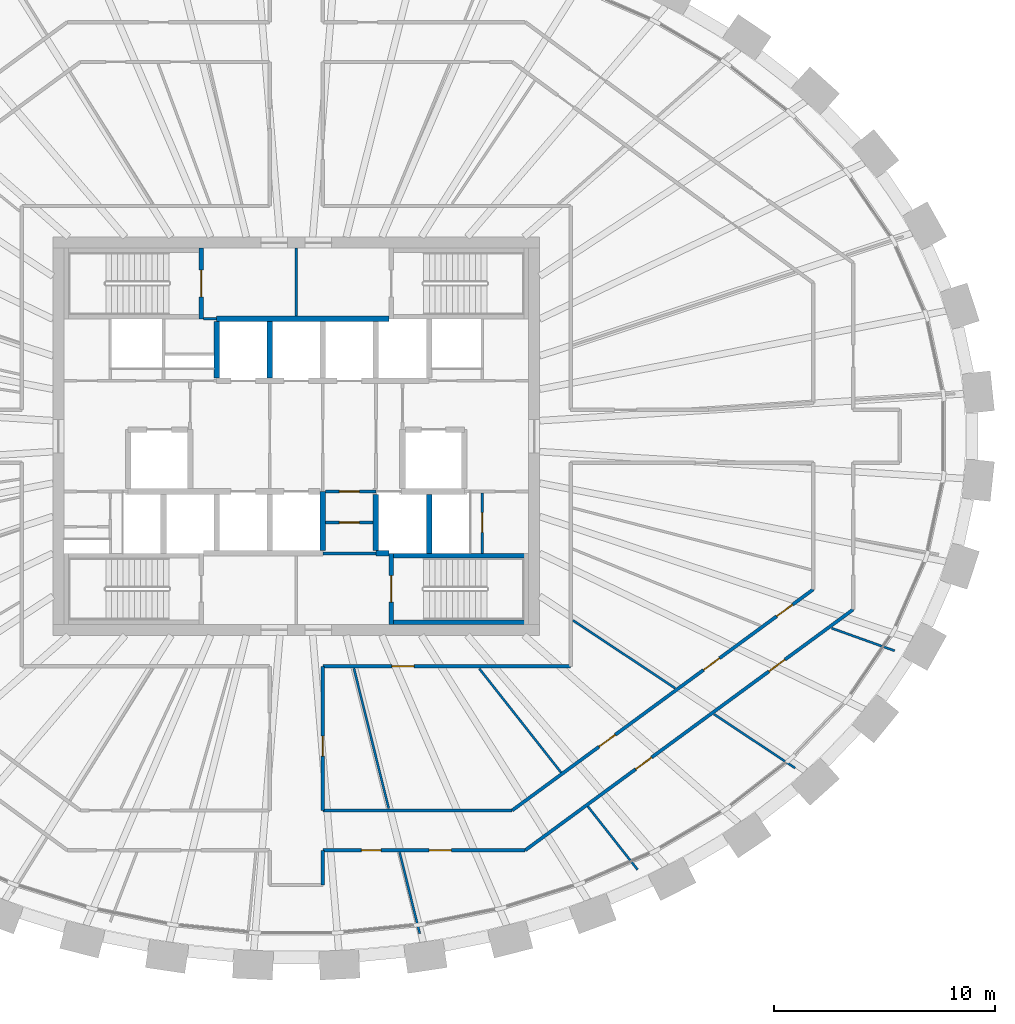
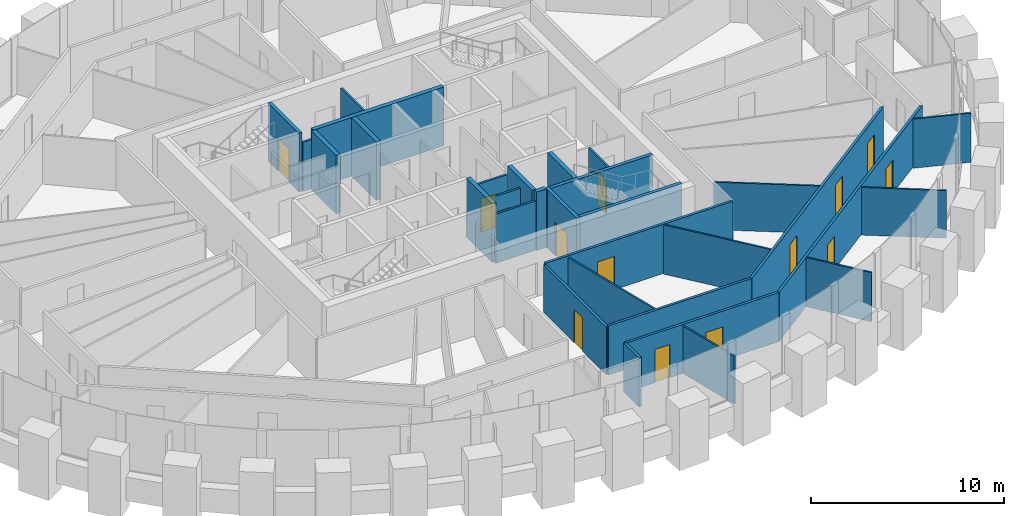
# One storey, part 8 of 12: 31 walls, 14 doors, 14 openings.
"""IFC4 building model written with IfcOpenShell, lengths in metres."""

from ifc_helpers import new_model, si_unit, direction, frame, frame_2d, origin, place, context, subcontext, project, spatial, rectangle, extrude, source, transform, mapped, material, layer, layer_set, type_object, element, fill, save


model = new_model("IFC4")

# Units and contexts
model_context = context("Model", 3, precision=1e-05, world=origin(), true_north=direction((0.0, 1.0)))
body_context = subcontext(model_context, "Body", "Model", "MODEL_VIEW")
ifc_project = project(units=[si_unit("LENGTHUNIT", "METRE"), si_unit("AREAUNIT", "SQUARE_METRE"), si_unit("VOLUMEUNIT", "CUBIC_METRE"), si_unit("PLANEANGLEUNIT", "RADIAN"), si_unit("MASSUNIT", "GRAM", prefix="KILO")], contexts=[model_context])

# Site, building, storey
site_placement = place(None, origin())
site = spatial("IfcSite", under=ifc_project, at=site_placement, CompositionType="ELEMENT")
building_placement = place(site_placement, origin())
building = spatial("IfcBuilding", under=site, at=building_placement, Name="Embergate Tower", CompositionType="ELEMENT")
storey_placement = place(building_placement, frame((0.0, 0.0, 301.300048828125)))
storey = spatial("IfcBuildingStorey", under=building, at=storey_placement, Name="L70", CompositionType="ELEMENT", Elevation=301.300048828125)

# Walls
ifc_material_1 = material(Name="Concrete C50", Category="concrete")
ifc_layer_1 = layer(ifc_material_1, 0.25)
ifc_layer_set_1 = layer_set([ifc_layer_1], Name="Concrete C50")
wall_type_1 = type_object("IfcWallType", Name="Hoistway wall reinforced concrete 250", PredefinedType="SHEAR", material=ifc_layer_set_1)
shared_shape_1 = source(origin(), body_context, "Body", "SweptSolid", [
    extrude(rectangle(XDim=2.675048828125, YDim=0.25, at=frame_2d((1.33740234375, 0.0))), origin(), (0.0, 0.0, 1.0), 3.699951171875),
])
for number, where, z_axis, x_axis, name in (
    (1, (1.199951171875, -5.175048828125, 0.0), (0.0, 0.0, 1.0), (0.0, 1.0, 0.0), "HW-1 wall"),
    (2, (6.0, -5.300048828125, 0.0), (0.0, 0.0, 1.0), (0.0, 1.0, 0.0), "HW-1 wall"),
):
    element("IfcWall", number, at=place(storey_placement, frame(where, z_axis=z_axis, x_axis=x_axis)), inside=storey, type_object=wall_type_1, Name=name, PredefinedType="SHEAR", context=body_context, shape_type="MappedRepresentation", body=[
        mapped(shared_shape_1, transform((0.0, 0.0, 0.0))),
    ])
ifc_layer_2 = layer(ifc_material_1, 0.199951171875)
ifc_layer_set_2 = layer_set([ifc_layer_2], Name="Concrete C50")
wall_type_2 = type_object("IfcWallType", Name="Stair enclosure wall reinforced concrete 250", PredefinedType="SHEAR", material=ifc_layer_set_2)
shared_shape_2 = source(origin(), body_context, "Body", "SweptSolid", [
    extrude(rectangle(XDim=6.300048828125, YDim=0.199951171875, at=frame_2d((3.14990234375, 0.0))), origin(), (0.0, 0.0, 1.0), 3.699951171875),
])
wall_1_placement = place(storey_placement, frame((4.199951171875, -5.39990234375, 0.0), z_axis=(0.0, 0.0, 1.0), x_axis=(1.0, 0.0, 0.0)))
element("IfcWall", 3, at=wall_1_placement, inside=storey, type_object=wall_type_2, Name="SE-1 wall", PredefinedType="SHEAR", context=body_context, shape_type="MappedRepresentation", body=[
    mapped(shared_shape_2, transform((0.0, 0.0, 0.0))),
])
shared_shape_3 = source(origin(), body_context, "Body", "SweptSolid", [
    extrude(rectangle(XDim=2.550048828125, YDim=0.25, at=frame_2d((1.27490234375, 0.0))), origin(), (0.0, 0.0, 1.0), 3.699951171875),
])
for number, where, z_axis, x_axis, name in (
    (4, (-1.199951171875, 2.625, 0.0), (0.0, 0.0, 1.0), (0.0, 1.0, 0.0), "HW-1 wall"),
    (5, (3.60009765625, -2.625, 0.0), (0.0, 0.0, 1.0), (0.0, -1.0, 0.0), "HW-1 wall"),
):
    element("IfcWall", number, at=place(storey_placement, frame(where, z_axis=z_axis, x_axis=x_axis)), inside=storey, type_object=wall_type_1, Name=name, PredefinedType="SHEAR", context=body_context, shape_type="MappedRepresentation", body=[
        mapped(shared_shape_3, transform((0.0, 0.0, 0.0))),
    ])

# Wall, opening, door
shared_shape_4 = source(origin(), body_context, "Body", "SweptSolid", [
    extrude(rectangle(XDim=3.199951171875, YDim=0.199951171875, at=frame_2d((1.60009765625, 0.0))), origin(), (0.0, 0.0, 1.0), 3.699951171875),
])
wall_2_placement = place(storey_placement, frame((-4.300048828125, 5.300048828125, 0.0), z_axis=(0.0, 0.0, 1.0), x_axis=(0.0, 1.0, 0.0)))
wall_2 = element("IfcWall", 6, at=wall_2_placement, inside=storey, type_object=wall_type_2, Name="SE-1 wall", PredefinedType="SHEAR", context=body_context, shape_type="MappedRepresentation", body=[
    mapped(shared_shape_4, transform((0.0, 0.0, 0.0))),
])
shared_shape_5 = source(origin(), body_context, "Body", "SweptSolid", [
    extrude(rectangle(XDim=1.199951171875, YDim=2.10009765625, at=frame_2d((0.60009765625, 1.050048828125))), frame((0.0, 0.10986328125, 0.0), z_axis=(0.0, -1.0, 0.0), x_axis=(1.0, 0.0, 0.0)), (0.0, 0.0, 1.0), 0.219970703125),
])
opening_1_placement = place(wall_2_placement, frame((1.0, 0.0, 0.0)))
opening_1 = element("IfcOpeningElement", 7, at=opening_1_placement, cuts=wall_2, Name="Opening IF-2", PredefinedType="OPENING", context=body_context, shape_type="MappedRepresentation", body=[
    mapped(shared_shape_5, transform((0.0, 0.0, 0.0))),
])
ifc_material_2 = material(Name="Stair enclosure door 1200")
door_type_1 = type_object("IfcDoorType", Name="Stair enclosure door 1200", OperationType="SINGLE_SWING_LEFT", PredefinedType="DOOR", material=ifc_material_2)
shared_shape_6 = source(origin(), body_context, "Body", "SweptSolid", [
    extrude(rectangle(XDim=1.199951171875, YDim=2.10009765625, at=frame_2d((0.60009765625, 1.050048828125))), frame((0.0, 0.02490234375, 0.0), z_axis=(0.0, -1.0, 0.0), x_axis=(1.0, 0.0, 0.0)), (0.0, 0.0, 1.0), 0.050048828125),
])
door_1_placement = place(opening_1_placement, origin())
door_1 = element("IfcDoor", 8, at=door_1_placement, inside=storey, type_object=door_type_1, Name="IF-2 door", OperationType="SINGLE_SWING_LEFT", OverallHeight=2.10009765625, OverallWidth=1.199951171875, PredefinedType="DOOR", context=body_context, shape_type="MappedRepresentation", body=[
    mapped(shared_shape_6, transform((0.0, 0.0, 0.0))),
])
fill(opening_1, door_1)

wall_3_placement = place(storey_placement, frame((4.300048828125, -5.300048828125, 0.0), z_axis=(0.0, 0.0, 1.0), x_axis=(0.0, -1.0, 0.0)))
wall_3 = element("IfcWall", 9, at=wall_3_placement, inside=storey, type_object=wall_type_2, Name="SE-1 wall", PredefinedType="SHEAR", context=body_context, shape_type="MappedRepresentation", body=[
    mapped(shared_shape_4, transform((0.0, 0.0, 0.0))),
])
opening_2_placement = place(wall_3_placement, frame((1.0, 0.0, 0.0)))
opening_2 = element("IfcOpeningElement", 10, at=opening_2_placement, cuts=wall_3, Name="Opening IF-2", PredefinedType="OPENING", context=body_context, shape_type="MappedRepresentation", body=[
    mapped(shared_shape_5, transform((0.0, 0.0, 0.0))),
])
door_2_placement = place(opening_2_placement, origin())
door_2 = element("IfcDoor", 11, at=door_2_placement, inside=storey, type_object=door_type_1, Name="IF-2 door", OperationType="SINGLE_SWING_LEFT", OverallHeight=2.10009765625, OverallWidth=1.199951171875, PredefinedType="DOOR", context=body_context, shape_type="MappedRepresentation", body=[
    mapped(shared_shape_6, transform((0.0, 0.0, 0.0))),
])
fill(opening_2, door_2)

ifc_material_3 = material(Name="Core partition blockwork 120")
ifc_layer_3 = layer(ifc_material_3, 0.1201171875)
ifc_layer_set_3 = layer_set([ifc_layer_3], Name="Core partition blockwork 120")
wall_type_3 = type_object("IfcWallType", Name="Core partition blockwork 120", PredefinedType="PARTITIONING", material=ifc_layer_set_3)
shared_shape_7 = source(origin(), body_context, "Body", "SweptSolid", [
    extrude(rectangle(XDim=2.739990234375, YDim=0.1201171875, at=frame_2d((1.3701171875, 0.0))), origin(), (0.0, 0.0, 1.0), 3.099853515625),
])
wall_4_placement = place(storey_placement, frame((8.39990234375, -5.300048828125, 0.0), z_axis=(0.0, 0.0, 1.0), x_axis=(0.0, 1.0, 0.0)))
wall_4 = element("IfcWall", 12, at=wall_4_placement, inside=storey, type_object=wall_type_3, Name="IP-3 wall", PredefinedType="PARTITIONING", context=body_context, shape_type="MappedRepresentation", body=[
    mapped(shared_shape_7, transform((0.0, 0.0, 0.0))),
])
shared_shape_8 = source(origin(), body_context, "Body", "SweptSolid", [
    extrude(rectangle(XDim=0.89990234375, YDim=2.10009765625, at=frame_2d((0.449951171875, 1.050048828125))), frame((0.0, 0.070068359375, 0.0), z_axis=(0.0, -1.0, 0.0), x_axis=(1.0, 0.0, 0.0)), (0.0, 0.0, 1.0), 0.14013671875),
])
opening_3_placement = place(wall_4_placement, frame((0.949951171875, 0.0, 0.0)))
opening_3 = element("IfcOpeningElement", 13, at=opening_3_placement, cuts=wall_4, Name="Opening ID-1", PredefinedType="OPENING", context=body_context, shape_type="MappedRepresentation", body=[
    mapped(shared_shape_8, transform((0.0, 0.0, 0.0))),
])
ifc_material_4 = material(Name="Interior door 900")
door_type_2 = type_object("IfcDoorType", Name="Interior door 900", OperationType="SINGLE_SWING_LEFT", PredefinedType="DOOR", material=ifc_material_4)
shared_shape_9 = source(origin(), body_context, "Body", "SweptSolid", [
    extrude(rectangle(XDim=0.89990234375, YDim=2.10009765625, at=frame_2d((0.449951171875, 1.050048828125))), frame((0.0, 0.02490234375, 0.0), z_axis=(0.0, -1.0, 0.0), x_axis=(1.0, 0.0, 0.0)), (0.0, 0.0, 1.0), 0.050048828125),
])
door_3_placement = place(opening_3_placement, origin())
door_3 = element("IfcDoor", 14, at=door_3_placement, inside=storey, type_object=door_type_2, Name="ID-1 door", OperationType="SINGLE_SWING_LEFT", OverallHeight=2.10009765625, OverallWidth=0.89990234375, PredefinedType="DOOR", context=body_context, shape_type="MappedRepresentation", body=[
    mapped(shared_shape_9, transform((0.0, 0.0, 0.0))),
])
fill(opening_3, door_3)

# Wall
shared_shape_10 = source(origin(), body_context, "Body", "SweptSolid", [
    extrude(rectangle(XDim=0.599853515625, YDim=0.25, at=frame_2d((0.2998046875, 0.0))), origin(), (0.0, 0.0, 1.0), 3.699951171875),
])
wall_5_placement = place(storey_placement, frame((3.60009765625, -5.300048828125, 0.0), z_axis=(0.0, 0.0, 1.0), x_axis=(1.0, 0.0, 0.0)))
element("IfcWall", 15, at=wall_5_placement, inside=storey, type_object=wall_type_1, Name="HW-1 wall", PredefinedType="SHEAR", context=body_context, shape_type="MappedRepresentation", body=[
    mapped(shared_shape_10, transform((0.0, 0.0, 0.0))),
])

# Wall, opening, door
ifc_material_5 = material(Name="Corridor wall dry-lined 150")
ifc_layer_4 = layer(ifc_material_5, 0.14990234375)
ifc_layer_set_4 = layer_set([ifc_layer_4], Name="Corridor wall dry-lined 150")
wall_type_4 = type_object("IfcWallType", Name="Corridor wall dry-lined 150", PredefinedType="PARTITIONING", material=ifc_layer_set_4)
shared_shape_11 = source(origin(), body_context, "Body", "SweptSolid", [
    extrude(rectangle(XDim=11.199951171875, YDim=0.14990234375, at=frame_2d((5.60009765625, 0.0))), origin(), (0.0, 0.0, 1.0), 3.099853515625),
])
wall_6_placement = place(storey_placement, frame((12.39990234375, -10.39990234375, 0.0), z_axis=(0.0, 0.0, 1.0), x_axis=(-1.0, 0.0, 0.0)))
wall_6 = element("IfcWall", 16, at=wall_6_placement, inside=storey, type_object=wall_type_4, Name="IP-2 wall", PredefinedType="PARTITIONING", context=body_context, shape_type="MappedRepresentation", body=[
    mapped(shared_shape_11, transform((0.0, 0.0, 0.0))),
])
shared_shape_12 = source(origin(), body_context, "Body", "SweptSolid", [
    extrude(rectangle(XDim=1.0, YDim=2.10009765625, at=frame_2d((0.5, 1.050048828125))), frame((0.0, 0.0849609375, 0.0), z_axis=(0.0, -1.0, 0.0), x_axis=(1.0, 0.0, 0.0)), (0.0, 0.0, 1.0), 0.169921875),
])
opening_4_placement = place(wall_6_placement, frame((7.075927734375, 0.0, 0.0)))
opening_4 = element("IfcOpeningElement", 17, at=opening_4_placement, cuts=wall_6, Name="Opening ID-2", PredefinedType="OPENING", context=body_context, shape_type="MappedRepresentation", body=[
    mapped(shared_shape_12, transform((0.0, 0.0, 0.0))),
])
ifc_material_6 = material(Name="Interior door 1000")
door_type_3 = type_object("IfcDoorType", Name="Interior door 1000", OperationType="SINGLE_SWING_LEFT", PredefinedType="DOOR", material=ifc_material_6)
shared_shape_13 = source(origin(), body_context, "Body", "SweptSolid", [
    extrude(rectangle(XDim=1.0, YDim=2.10009765625, at=frame_2d((0.5, 1.050048828125))), frame((0.0, 0.02490234375, 0.0), z_axis=(0.0, -1.0, 0.0), x_axis=(1.0, 0.0, 0.0)), (0.0, 0.0, 1.0), 0.050048828125),
])
door_4_placement = place(opening_4_placement, origin())
door_4 = element("IfcDoor", 18, at=door_4_placement, inside=storey, type_object=door_type_3, Name="ID-2 door", OperationType="SINGLE_SWING_RIGHT", OverallHeight=2.10009765625, OverallWidth=1.0, PredefinedType="DOOR", context=body_context, shape_type="MappedRepresentation", body=[
    mapped(shared_shape_13, transform((0.0, 0.0, 0.0))),
])
fill(opening_4, door_4)

# Walls
shared_shape_14 = source(origin(), body_context, "Body", "SweptSolid", [
    extrude(rectangle(XDim=7.800048828125, YDim=0.25, at=frame_2d((3.89990234375, 0.0))), origin(), (0.0, 0.0, 1.0), 3.699951171875),
])
wall_7_placement = place(storey_placement, frame((4.199951171875, 5.300048828125, 0.0), z_axis=(0.0, 0.0, 1.0), x_axis=(-1.0, 0.0, 0.0)))
element("IfcWall", 19, at=wall_7_placement, inside=storey, type_object=wall_type_1, Name="HW-1 wall", PredefinedType="SHEAR", context=body_context, shape_type="MappedRepresentation", body=[
    mapped(shared_shape_14, transform((0.0, 0.0, 0.0))),
])
shared_shape_15 = source(origin(), body_context, "Body", "SweptSolid", [
    extrude(rectangle(XDim=2.400146484375, YDim=0.1201171875, at=frame_2d((1.2001953125, 0.0))), origin(), (0.0, 0.0, 1.0), 3.099853515625),
])
wall_8_placement = place(storey_placement, frame((3.60009765625, -5.300048828125, 0.0), z_axis=(0.0, 0.0, 1.0), x_axis=(-1.0, 0.0, 0.0)))
element("IfcWall", 20, at=wall_8_placement, inside=storey, type_object=wall_type_3, Name="IP-3 wall", PredefinedType="PARTITIONING", context=body_context, shape_type="MappedRepresentation", body=[
    mapped(shared_shape_15, transform((0.0, 0.0, 0.0))),
])
shared_shape_16 = source(origin(), body_context, "Body", "SweptSolid", [
    extrude(rectangle(XDim=3.074951171875, YDim=0.1201171875, at=frame_2d((1.53759765625, 0.0))), origin(), (0.0, 0.0, 1.0), 3.099853515625),
])
wall_9_placement = place(storey_placement, frame((0.0, 5.425048828125, 0.0), z_axis=(0.0, 0.0, 1.0), x_axis=(0.0, 1.0, 0.0)))
element("IfcWall", 21, at=wall_9_placement, inside=storey, type_object=wall_type_3, Name="IP-3 wall", PredefinedType="PARTITIONING", context=body_context, shape_type="MappedRepresentation", body=[
    mapped(shared_shape_16, transform((0.0, 0.0, 0.0))),
])

# Wall, opening, door
shared_shape_17 = source(origin(), body_context, "Body", "SweptSolid", [
    extrude(rectangle(XDim=2.150146484375, YDim=0.1201171875, at=frame_2d((1.0751953125, 0.0))), origin(), (0.0, 0.0, 1.0), 3.099853515625),
])
wall_10_placement = place(storey_placement, frame((3.47509765625, -3.89990234375, 0.0), z_axis=(0.0, 0.0, 1.0), x_axis=(-1.0, 0.0, 0.0)))
wall_10 = element("IfcWall", 22, at=wall_10_placement, inside=storey, type_object=wall_type_3, Name="IP-3 wall", PredefinedType="PARTITIONING", context=body_context, shape_type="MappedRepresentation", body=[
    mapped(shared_shape_17, transform((0.0, 0.0, 0.0))),
])
opening_5_placement = place(wall_10_placement, frame((0.625, 0.0, 0.0)))
opening_5 = element("IfcOpeningElement", 23, at=opening_5_placement, cuts=wall_10, Name="Opening ID-1", PredefinedType="OPENING", context=body_context, shape_type="MappedRepresentation", body=[
    mapped(shared_shape_8, transform((0.0, 0.0, 0.0))),
])
door_5_placement = place(opening_5_placement, origin())
door_5 = element("IfcDoor", 24, at=door_5_placement, inside=storey, type_object=door_type_2, Name="ID-1 door", OperationType="SINGLE_SWING_LEFT", OverallHeight=2.10009765625, OverallWidth=0.89990234375, PredefinedType="DOOR", context=body_context, shape_type="MappedRepresentation", body=[
    mapped(shared_shape_9, transform((0.0, 0.0, 0.0))),
])
fill(opening_5, door_5)

# Walls
shared_shape_18 = source(origin(), body_context, "Body", "SweptSolid", [
    extrude(rectangle(XDim=6.298095703125, YDim=0.199951171875, at=frame_2d((3.14892578125, 0.0))), origin(), (0.0, 0.0, 1.0), 3.699951171875),
])
wall_11_placement = place(storey_placement, frame((4.201904296875, -8.39990234375, 0.0), z_axis=(0.0, 0.0, 1.0), x_axis=(1.0, 0.0, 0.0)))
element("IfcWall", 25, at=wall_11_placement, inside=storey, type_object=wall_type_2, Name="SE-1 wall", PredefinedType="SHEAR", context=body_context, shape_type="MappedRepresentation", body=[
    mapped(shared_shape_18, transform((0.0, 0.0, 0.0))),
])
shared_shape_19 = source(origin(), body_context, "Body", "SweptSolid", [
    extrude(rectangle(XDim=2.548095703125, YDim=0.25, at=frame_2d((1.27392578125, 0.0))), origin(), (0.0, 0.0, 1.0), 3.699951171875),
])
wall_12_placement = place(storey_placement, frame((-3.60009765625, 5.173095703125, 0.0), z_axis=(0.0, 0.0, 1.0), x_axis=(0.0, -1.0, 0.0)))
element("IfcWall", 26, at=wall_12_placement, inside=storey, type_object=wall_type_1, Name="HW-1 wall", PredefinedType="SHEAR", context=body_context, shape_type="MappedRepresentation", body=[
    mapped(shared_shape_19, transform((0.0, 0.0, 0.0))),
])
shared_shape_20 = source(origin(), body_context, "Body", "SweptSolid", [
    extrude(rectangle(XDim=0.595947265625, YDim=0.1201171875, at=frame_2d((0.2978515625, 0.0))), origin(), (0.0, 0.0, 1.0), 3.099853515625),
])
wall_13_placement = place(storey_placement, frame((-4.197998046875, 5.300048828125, 0.0), z_axis=(0.0, 0.0, 1.0), x_axis=(1.0, 0.0, 0.0)))
element("IfcWall", 27, at=wall_13_placement, inside=storey, type_object=wall_type_3, Name="IP-3 wall", PredefinedType="PARTITIONING", context=body_context, shape_type="MappedRepresentation", body=[
    mapped(shared_shape_20, transform((0.0, 0.0, 0.0))),
])

# Wall, opening, door
shared_shape_21 = source(origin(), body_context, "Body", "SweptSolid", [
    extrude(rectangle(XDim=6.51318359375, YDim=0.14990234375, at=frame_2d((3.256591796875, 0.0))), origin(), (0.0, 0.0, 1.0), 3.0),
])
wall_14_placement = place(storey_placement, frame((1.199951171875, -10.39990234375, 0.0), z_axis=(0.0, 0.0, 1.0), x_axis=(0.0, -1.0, 0.0)))
wall_14 = element("IfcWall", 28, at=wall_14_placement, inside=storey, type_object=wall_type_4, Name="IP-2 wall", PredefinedType="PARTITIONING", context=body_context, shape_type="MappedRepresentation", body=[
    mapped(shared_shape_21, transform((0.0, 0.0, 0.0))),
])
shared_shape_22 = source(origin(), body_context, "Body", "SweptSolid", [
    extrude(rectangle(XDim=0.89990234375, YDim=2.10009765625, at=frame_2d((0.449951171875, 1.050048828125))), frame((0.0, 0.0849609375, 0.0), z_axis=(0.0, -1.0, 0.0), x_axis=(1.0, 0.0, 0.0)), (0.0, 0.0, 1.0), 0.169921875),
])
opening_6_placement = place(wall_14_placement, frame((3.157958984375, 0.0, 0.0)))
opening_6 = element("IfcOpeningElement", 29, at=opening_6_placement, cuts=wall_14, Name="Opening IF-1c", PredefinedType="OPENING", context=body_context, shape_type="MappedRepresentation", body=[
    mapped(shared_shape_22, transform((0.0, 0.0, 0.0))),
])
ifc_material_7 = material(Name="Escape fire door 900")
door_type_4 = type_object("IfcDoorType", Name="Escape fire door 900", OperationType="SINGLE_SWING_LEFT", PredefinedType="DOOR", material=ifc_material_7)
door_6_placement = place(opening_6_placement, origin())
door_6 = element("IfcDoor", 30, at=door_6_placement, inside=storey, type_object=door_type_4, Name="IF-1 door", OperationType="SINGLE_SWING_LEFT", OverallHeight=2.10009765625, OverallWidth=0.89990234375, PredefinedType="DOOR", context=body_context, shape_type="MappedRepresentation", body=[
    mapped(shared_shape_9, transform((0.0, 0.0, 0.0))),
])
fill(opening_6, door_6)

# Walls
ifc_material_8 = material(Name="Partition dry-lined 100")
ifc_layer_5 = layer(ifc_material_8, 0.10009765625)
ifc_layer_set_5 = layer_set([ifc_layer_5], Name="Partition dry-lined 100")
wall_type_5 = type_object("IfcWallType", Name="Partition dry-lined 100", PredefinedType="PARTITIONING", material=ifc_layer_set_5)
shared_shape_23 = source(origin(), body_context, "Body", "SweptSolid", [
    extrude(rectangle(XDim=3.78759765625, YDim=0.10009765625, at=frame_2d((1.893798828125, 0.0))), origin(), (0.0, 0.0, 1.0), 3.0),
])
wall_15_placement = place(storey_placement, frame((4.6669921875, -18.800048828125, 0.0), z_axis=(0.0, 0.0, 1.0), x_axis=(0.240821377337, -0.970569453577, 0.0)))
element("IfcWall", 31, at=wall_15_placement, inside=storey, type_object=wall_type_5, Name="IP-1 wall", PredefinedType="PARTITIONING", context=body_context, shape_type="MappedRepresentation", body=[
    mapped(shared_shape_23, transform((0.0, 0.0, 0.0))),
])
shared_shape_24 = source(origin(), body_context, "Body", "SweptSolid", [
    extrude(rectangle(XDim=6.53125, YDim=0.10009765625, at=frame_2d((3.265625, 0.0))), origin(), (0.0, 0.0, 1.0), 3.0),
])
wall_16_placement = place(storey_placement, frame((2.60302734375, -10.487060546875, 0.0), z_axis=(0.0, 0.0, 1.0), x_axis=(0.240987354202, -0.970528255701, 0.0)))
element("IfcWall", 32, at=wall_16_placement, inside=storey, type_object=wall_type_5, Name="IP-1 wall", PredefinedType="PARTITIONING", context=body_context, shape_type="MappedRepresentation", body=[
    mapped(shared_shape_24, transform((0.0, 0.0, 0.0))),
])
shared_shape_25 = source(origin(), body_context, "Body", "SweptSolid", [
    extrude(rectangle(XDim=4.396728515625, YDim=0.10009765625, at=frame_2d((2.1982421875, 0.0))), origin(), (0.0, 0.0, 1.0), 3.0),
])
wall_17_placement = place(storey_placement, frame((18.8798828125, -12.56298828125, 0.0), z_axis=(0.0, 0.0, 1.0), x_axis=(0.832477186839, -0.554059322991, 0.0)))
element("IfcWall", 33, at=wall_17_placement, inside=storey, type_object=wall_type_5, Name="IP-1 wall", PredefinedType="PARTITIONING", context=body_context, shape_type="MappedRepresentation", body=[
    mapped(shared_shape_25, transform((0.0, 0.0, 0.0))),
])
shared_shape_26 = source(origin(), body_context, "Body", "SweptSolid", [
    extrude(rectangle(XDim=5.547119140625, YDim=0.10009765625, at=frame_2d((2.7734375, 0.0))), origin(), (0.0, 0.0, 1.0), 3.0),
])
wall_18_placement = place(storey_placement, frame((12.5029296875, -8.320068359375, 0.0), z_axis=(0.0, 0.0, 1.0), x_axis=(0.832530728158, -0.553978868435, 0.0)))
element("IfcWall", 34, at=wall_18_placement, inside=storey, type_object=wall_type_5, Name="IP-1 wall", PredefinedType="PARTITIONING", context=body_context, shape_type="MappedRepresentation", body=[
    mapped(shared_shape_26, transform((0.0, 0.0, 0.0))),
])

# Wall, openings, doors
shared_shape_27 = source(origin(), body_context, "Body", "SweptSolid", [
    extrude(rectangle(XDim=18.38427734375, YDim=0.14990234375, at=frame_2d((9.192138671875, 0.0))), origin(), (0.0, 0.0, 1.0), 3.099853515625),
])
wall_19_placement = place(storey_placement, frame((10.345947265625, -18.712890625, 0.0), z_axis=(0.0, 0.0, 1.0), x_axis=(0.80612330372, 0.591747597545, 0.0)))
wall_19 = element("IfcWall", 35, at=wall_19_placement, inside=storey, type_object=wall_type_4, Name="IP-2 wall", PredefinedType="PARTITIONING", context=body_context, shape_type="MappedRepresentation", body=[
    mapped(shared_shape_27, transform((0.0, 0.0, 0.0))),
])
opening_7_placement = place(wall_19_placement, frame((6.1845703125, 0.0, 0.0)))
opening_7 = element("IfcOpeningElement", 36, at=opening_7_placement, cuts=wall_19, Name="Opening IF-1c", PredefinedType="OPENING", context=body_context, shape_type="MappedRepresentation", body=[
    mapped(shared_shape_22, transform((0.0, 0.0, 0.0))),
])
opening_8_placement = place(wall_19_placement, frame((13.662353515625, 0.0, 0.0)))
opening_8 = element("IfcOpeningElement", 37, at=opening_8_placement, cuts=wall_19, Name="Opening IF-1c", PredefinedType="OPENING", context=body_context, shape_type="MappedRepresentation", body=[
    mapped(shared_shape_22, transform((0.0, 0.0, 0.0))),
])
door_7_placement = place(opening_7_placement, origin())
door_7 = element("IfcDoor", 38, at=door_7_placement, inside=storey, type_object=door_type_4, Name="IF-1 door", OperationType="SINGLE_SWING_LEFT", OverallHeight=2.10009765625, OverallWidth=0.89990234375, PredefinedType="DOOR", context=body_context, shape_type="MappedRepresentation", body=[
    mapped(shared_shape_9, transform((0.0, 0.0, 0.0))),
])
fill(opening_7, door_7)
door_8_placement = place(opening_8_placement, origin())
door_8 = element("IfcDoor", 39, at=door_8_placement, inside=storey, type_object=door_type_4, Name="IF-1 door", OperationType="SINGLE_SWING_RIGHT", OverallHeight=2.10009765625, OverallWidth=0.89990234375, PredefinedType="DOOR", context=body_context, shape_type="MappedRepresentation", body=[
    mapped(shared_shape_9, transform((0.0, 0.0, 0.0))),
])
fill(opening_8, door_8)

shared_shape_28 = source(origin(), body_context, "Body", "SweptSolid", [
    extrude(rectangle(XDim=16.8828125, YDim=0.14990234375, at=frame_2d((8.44140625, 0.0))), origin(), (0.0, 0.0, 1.0), 3.099853515625),
])
wall_20_placement = place(storey_placement, frame((9.756103515625, -16.9130859375, 0.0), z_axis=(0.0, 0.0, 1.0), x_axis=(0.806138724475, 0.591726589653, 0.0)))
wall_20 = element("IfcWall", 40, at=wall_20_placement, inside=storey, type_object=wall_type_4, Name="IP-2 wall", PredefinedType="PARTITIONING", context=body_context, shape_type="MappedRepresentation", body=[
    mapped(shared_shape_28, transform((0.0, 0.0, 0.0))),
])
opening_9_placement = place(wall_20_placement, frame((4.875244140625, 0.0, 0.0)))
opening_9 = element("IfcOpeningElement", 41, at=opening_9_placement, cuts=wall_20, Name="Opening IF-1c", PredefinedType="OPENING", context=body_context, shape_type="MappedRepresentation", body=[
    mapped(shared_shape_22, transform((0.0, 0.0, 0.0))),
])
opening_10_placement = place(wall_20_placement, frame((10.726806640625, 0.0, 0.0)))
opening_10 = element("IfcOpeningElement", 42, at=opening_10_placement, cuts=wall_20, Name="Opening IF-1c", PredefinedType="OPENING", context=body_context, shape_type="MappedRepresentation", body=[
    mapped(shared_shape_22, transform((0.0, 0.0, 0.0))),
])
opening_11_placement = place(wall_20_placement, frame((14.823974609375, 0.0, 0.0)))
opening_11 = element("IfcOpeningElement", 43, at=opening_11_placement, cuts=wall_20, Name="Opening IF-1c", PredefinedType="OPENING", context=body_context, shape_type="MappedRepresentation", body=[
    mapped(shared_shape_22, transform((0.0, 0.0, 0.0))),
])
door_9_placement = place(opening_9_placement, origin())
door_9 = element("IfcDoor", 44, at=door_9_placement, inside=storey, type_object=door_type_4, Name="IF-1 door", OperationType="SINGLE_SWING_RIGHT", OverallHeight=2.10009765625, OverallWidth=0.89990234375, PredefinedType="DOOR", context=body_context, shape_type="MappedRepresentation", body=[
    mapped(shared_shape_9, transform((0.0, 0.0, 0.0))),
])
fill(opening_9, door_9)
door_10_placement = place(opening_10_placement, origin())
door_10 = element("IfcDoor", 45, at=door_10_placement, inside=storey, type_object=door_type_4, Name="IF-1 door", OperationType="SINGLE_SWING_LEFT", OverallHeight=2.10009765625, OverallWidth=0.89990234375, PredefinedType="DOOR", context=body_context, shape_type="MappedRepresentation", body=[
    mapped(shared_shape_9, transform((0.0, 0.0, 0.0))),
])
fill(opening_10, door_10)
door_11_placement = place(opening_11_placement, origin())
door_11 = element("IfcDoor", 46, at=door_11_placement, inside=storey, type_object=door_type_4, Name="IF-1 door", OperationType="SINGLE_SWING_RIGHT", OverallHeight=2.10009765625, OverallWidth=0.89990234375, PredefinedType="DOOR", context=body_context, shape_type="MappedRepresentation", body=[
    mapped(shared_shape_9, transform((0.0, 0.0, 0.0))),
])
fill(opening_11, door_11)

shared_shape_29 = source(origin(), body_context, "Body", "SweptSolid", [
    extrude(rectangle(XDim=9.14599609375, YDim=0.14990234375, at=frame_2d((4.572998046875, 0.0))), origin(), (0.0, 0.0, 1.0), 3.099853515625),
])
wall_21_placement = place(storey_placement, frame((10.345947265625, -18.712890625, 0.0), z_axis=(0.0, 0.0, 1.0), x_axis=(-1.0, 0.0, 0.0)))
wall_21 = element("IfcWall", 47, at=wall_21_placement, inside=storey, type_object=wall_type_4, Name="IP-2 wall", PredefinedType="PARTITIONING", context=body_context, shape_type="MappedRepresentation", body=[
    mapped(shared_shape_29, transform((0.0, 0.0, 0.0))),
])
opening_12_placement = place(wall_21_placement, frame((6.506103515625, 0.0, 0.0)))
opening_12 = element("IfcOpeningElement", 48, at=opening_12_placement, cuts=wall_21, Name="Opening IF-1c", PredefinedType="OPENING", context=body_context, shape_type="MappedRepresentation", body=[
    mapped(shared_shape_22, transform((0.0, 0.0, 0.0))),
])
opening_13_placement = place(wall_21_placement, frame((3.337158203125, 0.0, 0.0)))
opening_13 = element("IfcOpeningElement", 49, at=opening_13_placement, cuts=wall_21, Name="Opening ID-2", PredefinedType="OPENING", context=body_context, shape_type="MappedRepresentation", body=[
    mapped(shared_shape_12, transform((0.0, 0.0, 0.0))),
])
door_12_placement = place(opening_12_placement, origin())
door_12 = element("IfcDoor", 50, at=door_12_placement, inside=storey, type_object=door_type_4, Name="IF-1 door", OperationType="SINGLE_SWING_LEFT", OverallHeight=2.10009765625, OverallWidth=0.89990234375, PredefinedType="DOOR", context=body_context, shape_type="MappedRepresentation", body=[
    mapped(shared_shape_9, transform((0.0, 0.0, 0.0))),
])
fill(opening_12, door_12)
door_13_placement = place(opening_13_placement, origin())
door_13 = element("IfcDoor", 51, at=door_13_placement, inside=storey, type_object=door_type_3, Name="ID-2 door", OperationType="SINGLE_SWING_LEFT", OverallHeight=2.10009765625, OverallWidth=1.0, PredefinedType="DOOR", context=body_context, shape_type="MappedRepresentation", body=[
    mapped(shared_shape_13, transform((0.0, 0.0, 0.0))),
])
fill(opening_13, door_13)

# Walls
shared_shape_30 = source(origin(), body_context, "Body", "SweptSolid", [
    extrude(rectangle(XDim=1.568115234375, YDim=0.14990234375, at=frame_2d((0.7841796875, 0.0))), origin(), (0.0, 0.0, 1.0), 3.099853515625),
])
wall_22_placement = place(storey_placement, frame((1.199951171875, -18.712890625, 0.0), z_axis=(0.0, 0.0, 1.0), x_axis=(0.0, -1.0, 0.0)))
element("IfcWall", 52, at=wall_22_placement, inside=storey, type_object=wall_type_4, Name="IP-2 wall", PredefinedType="PARTITIONING", context=body_context, shape_type="MappedRepresentation", body=[
    mapped(shared_shape_30, transform((0.0, 0.0, 0.0))),
])
shared_shape_31 = source(origin(), body_context, "Body", "SweptSolid", [
    extrude(rectangle(XDim=8.55615234375, YDim=0.14990234375, at=frame_2d((4.278076171875, 0.0))), origin(), (0.0, 0.0, 1.0), 3.099853515625),
])
wall_23_placement = place(storey_placement, frame((1.199951171875, -16.9130859375, 0.0), z_axis=(0.0, 0.0, 1.0), x_axis=(1.0, 0.0, 0.0)))
element("IfcWall", 53, at=wall_23_placement, inside=storey, type_object=wall_type_4, Name="IP-2 wall", PredefinedType="PARTITIONING", context=body_context, shape_type="MappedRepresentation", body=[
    mapped(shared_shape_31, transform((0.0, 0.0, 0.0))),
])
shared_shape_32 = source(origin(), body_context, "Body", "SweptSolid", [
    extrude(rectangle(XDim=3.638916015625, YDim=0.10009765625, at=frame_2d((1.8193359375, 0.0))), origin(), (0.0, 0.0, 1.0), 3.099853515625),
])
wall_24_placement = place(storey_placement, frame((13.173095703125, -16.73095703125, 0.0), z_axis=(0.0, 0.0, 1.0), x_axis=(0.618588689129, -0.785714982472, 0.0)))
element("IfcWall", 54, at=wall_24_placement, inside=storey, type_object=wall_type_5, Name="IP-1 wall", PredefinedType="PARTITIONING", context=body_context, shape_type="MappedRepresentation", body=[
    mapped(shared_shape_32, transform((0.0, 0.0, 0.0))),
])
shared_shape_33 = source(origin(), body_context, "Body", "SweptSolid", [
    extrude(rectangle(XDim=5.9716796875, YDim=0.10009765625, at=frame_2d((2.98583984375, 0.0))), origin(), (0.0, 0.0, 1.0), 3.099853515625),
])
wall_25_placement = place(storey_placement, frame((8.27197265625, -10.506103515625, 0.0), z_axis=(0.0, 0.0, 1.0), x_axis=(0.618608475676, -0.785699404239, 0.0)))
element("IfcWall", 55, at=wall_25_placement, inside=storey, type_object=wall_type_5, Name="IP-1 wall", PredefinedType="PARTITIONING", context=body_context, shape_type="MappedRepresentation", body=[
    mapped(shared_shape_33, transform((0.0, 0.0, 0.0))),
])
shared_shape_34 = source(origin(), body_context, "Body", "SweptSolid", [
    extrude(rectangle(XDim=3.0234375, YDim=0.10009765625, at=frame_2d((1.51171875, 0.0))), origin(), (0.0, 0.0, 1.0), 3.099853515625),
])
wall_26_placement = place(storey_placement, frame((24.19189453125, -8.677001953125, 0.0), z_axis=(0.0, 0.0, 1.0), x_axis=(0.941372310645, -0.337369489953, 0.0)))
element("IfcWall", 56, at=wall_26_placement, inside=storey, type_object=wall_type_5, Name="IP-1 wall", PredefinedType="PARTITIONING", context=body_context, shape_type="MappedRepresentation", body=[
    mapped(shared_shape_34, transform((0.0, 0.0, 0.0))),
])

# Wall, opening, door
shared_shape_35 = source(origin(), body_context, "Body", "SweptSolid", [
    extrude(rectangle(XDim=2.275146484375, YDim=0.1201171875, at=frame_2d((1.1376953125, 0.0))), origin(), (0.0, 0.0, 1.0), 3.099853515625),
])
wall_27_placement = place(storey_placement, frame((1.324951171875, -2.5, 0.0), z_axis=(0.0, 0.0, 1.0), x_axis=(1.0, 0.0, 0.0)))
wall_27 = element("IfcWall", 57, at=wall_27_placement, inside=storey, type_object=wall_type_3, Name="IP-3 wall", PredefinedType="PARTITIONING", context=body_context, shape_type="MappedRepresentation", body=[
    mapped(shared_shape_35, transform((0.0, 0.0, 0.0))),
])
opening_14_placement = place(wall_27_placement, frame((0.625, 0.0, 0.0)))
opening_14 = element("IfcOpeningElement", 58, at=opening_14_placement, cuts=wall_27, Name="Opening ID-1", PredefinedType="OPENING", context=body_context, shape_type="MappedRepresentation", body=[
    mapped(shared_shape_8, transform((0.0, 0.0, 0.0))),
])
door_14_placement = place(opening_14_placement, origin())
door_14 = element("IfcDoor", 59, at=door_14_placement, inside=storey, type_object=door_type_2, Name="ID-1 door", OperationType="SINGLE_SWING_LEFT", OverallHeight=2.10009765625, OverallWidth=0.89990234375, PredefinedType="DOOR", context=body_context, shape_type="MappedRepresentation", body=[
    mapped(shared_shape_9, transform((0.0, 0.0, 0.0))),
])
fill(opening_14, door_14)

save(model, "model.ifc")
